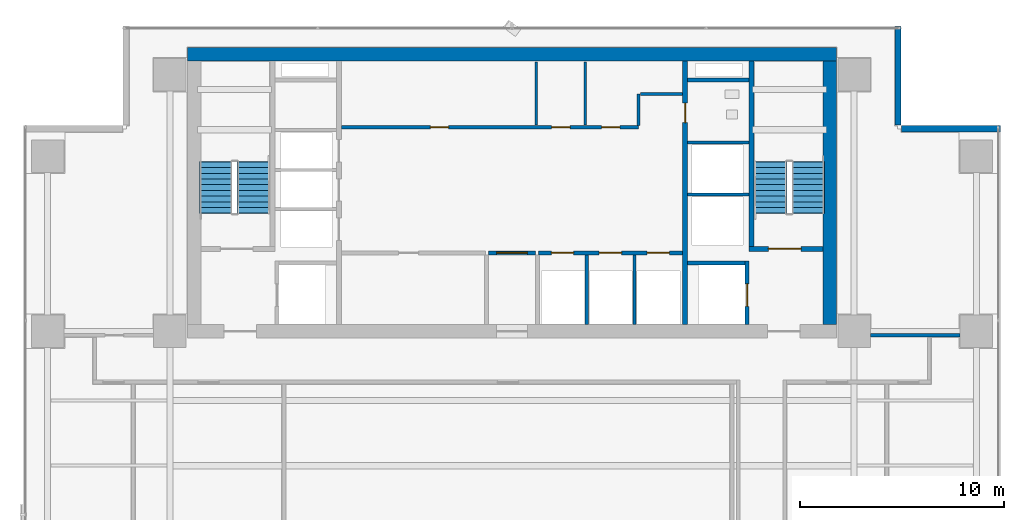
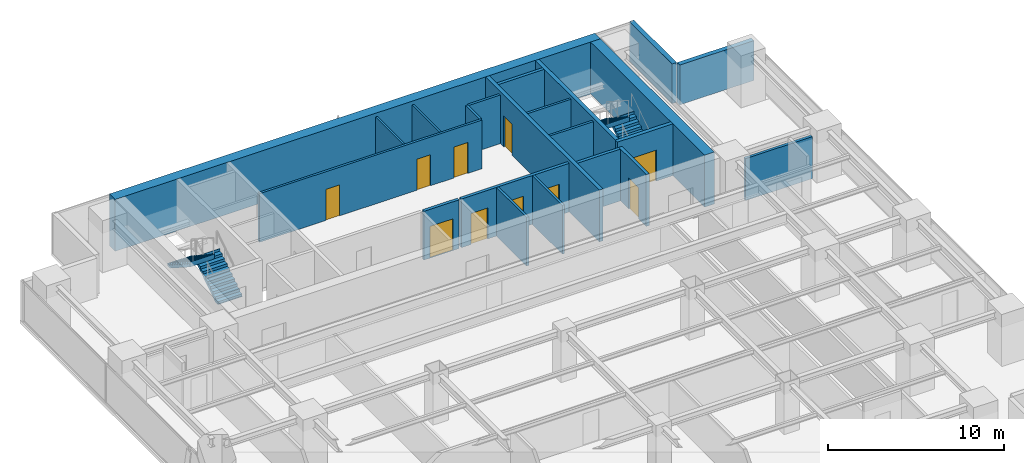
# One storey, part 22 of 28: 22 walls, 10 doors, 4 stair flights, 10 openings, 2 elements without a shape of their own.
"""IFC4 building model written with IfcOpenShell, lengths in metres."""

from ifc_helpers import new_model, si_unit, direction, frame, frame_2d, origin, place, context, subcontext, project, spatial, polyline, rectangle, outline, extrude, source, transform, mapped, material, layer, layer_set, type_object, element, fill, aggregate, save


model = new_model("IFC4")

# Units and contexts
model_context = context("Model", 3, precision=1e-05, world=origin(), true_north=direction((0.0, 1.0)))
body_context = subcontext(model_context, "Body", "Model", "MODEL_VIEW")
ifc_project = project(units=[si_unit("LENGTHUNIT", "METRE"), si_unit("AREAUNIT", "SQUARE_METRE"), si_unit("VOLUMEUNIT", "CUBIC_METRE"), si_unit("PLANEANGLEUNIT", "RADIAN"), si_unit("MASSUNIT", "GRAM", prefix="KILO")], contexts=[model_context])

# Site, building, storey
site_placement = place(None, origin())
site = spatial("IfcSite", under=ifc_project, at=site_placement, CompositionType="ELEMENT")
building_placement = place(site_placement, origin())
building = spatial("IfcBuilding", under=site, at=building_placement, Name="Sumidabori Civic Tower", CompositionType="ELEMENT")
storey_placement = place(building_placement, frame((0.0, 0.0, 171.199951171875)))
storey = spatial("IfcBuildingStorey", under=building, at=storey_placement, Name="L44", CompositionType="ELEMENT", Elevation=171.199951171875)

# Walls
ifc_material_1 = material(Name="Concrete C50/60", Category="concrete")
ifc_layer_1 = layer(ifc_material_1, 0.199951171875, Name="Concrete C50/60")
ifc_layer_set_1 = layer_set([ifc_layer_1], Name="Concrete C50/60")
wall_type_1 = type_object("IfcWallType", Name="WL-SHAFT-200", PredefinedType="SHEAR", material=ifc_layer_set_1)
shared_shape_1 = source(origin(), body_context, "Body", "SweptSolid", [
    extrude(rectangle(XDim=2.824951171875, YDim=0.199951171875, at=frame_2d((1.41259765625, 0.0))), origin(), (0.0, 0.0, 1.0), 3.60009765625),
])
wall_1_placement = place(storey_placement, frame((8.625, 13.550048828125, 0.0), z_axis=(0.0, 0.0, 1.0), x_axis=(1.0, 0.0, 0.0)))
element("IfcWall", 1, at=wall_1_placement, inside=storey, type_object=wall_type_1, Name="Core Shear Wall L44 EL2-N", PredefinedType="SHEAR", context=body_context, shape_type="MappedRepresentation", body=[
    mapped(shared_shape_1, transform((0.0, 0.0, 0.0), x_axis=(1.0, 0.0, 0.0), y_axis=(0.0, 1.0, 0.0), z_axis=(0.0, 0.0, 1.0), scale=1.0)),
])
shared_shape_2 = source(origin(), body_context, "Body", "SweptSolid", [
    extrude(rectangle(XDim=3.02001953125, YDim=0.199951171875, at=frame_2d((1.510009765625, 0.0))), origin(), (0.0, 0.0, 1.0), 3.60009765625),
])
wall_2_placement = place(storey_placement, frame((8.625, 22.550048828125, 0.0), z_axis=(0.0, 0.0, 1.0), x_axis=(1.0, 0.0, 0.0)))
element("IfcWall", 2, at=wall_2_placement, inside=storey, type_object=wall_type_1, Name="Core Shear Wall L44 RIS2-S", PredefinedType="SHEAR", context=body_context, shape_type="MappedRepresentation", body=[
    mapped(shared_shape_2, transform((0.0, 0.0, 0.0), x_axis=(1.0, 0.0, 0.0), y_axis=(0.0, 1.0, 0.0), z_axis=(0.0, 0.0, 1.0), scale=1.0)),
])
ifc_material_2 = material(Name="Concrete C60/75", Category="concrete")
ifc_layer_2 = layer(ifc_material_2, 0.64990234375, Name="Concrete C60/75")
ifc_layer_set_2 = layer_set([ifc_layer_2], Name="Concrete C60/75")
wall_type_2 = type_object("IfcWallType", Name="WL-CORE-650", PredefinedType="SHEAR", material=ifc_layer_set_2)
shared_shape_3 = source(origin(), body_context, "Body", "SweptSolid", [
    extrude(rectangle(XDim=31.85009765625, YDim=0.64990234375, at=frame_2d((15.925048828125, 0.0))), origin(), (0.0, 0.0, 1.0), 3.60009765625),
])
wall_3_placement = place(storey_placement, frame((-15.925048828125, 23.800048828125, 0.0), z_axis=(0.0, 0.0, 1.0), x_axis=(1.0, 0.0, 0.0)))
element("IfcWall", 3, at=wall_3_placement, inside=storey, type_object=wall_type_2, Name="Core Shear Wall L44 N", PredefinedType="SHEAR", context=body_context, shape_type="MappedRepresentation", body=[
    mapped(shared_shape_3, transform((0.0, 0.0, 0.0), x_axis=(1.0, 0.0, 0.0), y_axis=(0.0, 1.0, 0.0), z_axis=(0.0, 0.0, 1.0), scale=1.0)),
])
shared_shape_4 = source(origin(), body_context, "Body", "SweptSolid", [
    extrude(rectangle(XDim=12.9501953125, YDim=0.64990234375, at=frame_2d((6.47509765625, 0.0))), origin(), (0.0, 0.0, 1.0), 3.60009765625),
])
wall_4_placement = place(storey_placement, frame((15.60009765625, 10.52490234375, 0.0), z_axis=(0.0, 0.0, 1.0), x_axis=(0.0, 1.0, 0.0)))
element("IfcWall", 4, at=wall_4_placement, inside=storey, type_object=wall_type_2, Name="Core Shear Wall L44 E", PredefinedType="SHEAR", context=body_context, shape_type="MappedRepresentation", body=[
    mapped(shared_shape_4, transform((0.0, 0.0, 0.0), x_axis=(1.0, 0.0, 0.0), y_axis=(0.0, 1.0, 0.0), z_axis=(0.0, 0.0, 1.0), scale=1.0)),
])

# Wall, opening, door
ifc_layer_3 = layer(ifc_material_1, 0.25, Name="Concrete C50/60")
ifc_layer_set_3 = layer_set([ifc_layer_3], Name="Concrete C50/60")
wall_type_3 = type_object("IfcWallType", Name="WL-SHAFT-250", PredefinedType="SHEAR", material=ifc_layer_set_3)
shared_shape_5 = source(origin(), body_context, "Body", "SweptSolid", [
    extrude(rectangle(XDim=12.9501953125, YDim=0.25, at=frame_2d((6.47509765625, 0.0))), origin(), (0.0, 0.0, 1.0), 3.60009765625),
])
wall_5_placement = place(storey_placement, frame((8.5, 10.52490234375, 0.0), z_axis=(0.0, 0.0, 1.0), x_axis=(0.0, 1.0, 0.0)))
wall_5 = element("IfcWall", 5, at=wall_5_placement, inside=storey, type_object=wall_type_3, Name="Core Shear Wall L44 WEB-E", PredefinedType="SHEAR", context=body_context, shape_type="MappedRepresentation", body=[
    mapped(shared_shape_5, transform((0.0, 0.0, 0.0), x_axis=(1.0, 0.0, 0.0), y_axis=(0.0, 1.0, 0.0), z_axis=(0.0, 0.0, 1.0), scale=1.0)),
])
opening_1_placement = place(wall_5_placement, frame((9.925048828125, 0.0, 0.0)))
opening_1 = element("IfcOpeningElement", 6, at=opening_1_placement, cuts=wall_5, Name="Opening DR-2", PredefinedType="OPENING", context=body_context, shape_type="SweptSolid", body=[
    extrude(rectangle(XDim=0.949951171875, YDim=2.14990234375, at=frame_2d((0.47509765625, 1.074951171875))), frame((0.0, 0.136962890625, 0.0), z_axis=(0.0, -1.0, 0.0), x_axis=(1.0, 0.0, 0.0)), (0.0, 0.0, 1.0), 0.27392578125),
])
ifc_material_3 = material(Name="Japanese Hinoki Timber", Category="wood")
door_type_1 = type_object("IfcDoorType", Name="DR-INT-950", OperationType="NOTDEFINED", PredefinedType="DOOR", material=ifc_material_3)
shared_shape_6 = source(origin(), body_context, "Body", "SweptSolid", [
    extrude(rectangle(XDim=0.949951171875, YDim=2.14990234375, at=frame_2d((0.47509765625, 1.074951171875))), frame((0.0, 0.02490234375, 0.0), z_axis=(0.0, -1.0, 0.0), x_axis=(1.0, 0.0, 0.0)), (0.0, 0.0, 1.0), 0.050048828125),
])
door_1_placement = place(opening_1_placement, origin())
door_1 = element("IfcDoor", 7, at=door_1_placement, inside=storey, type_object=door_type_1, Name="Door DR:L44:WC-ACC", OperationType="SINGLE_SWING_RIGHT", OverallHeight=2.14990234375, OverallWidth=0.949951171875, PredefinedType="DOOR", context=body_context, shape_type="MappedRepresentation", body=[
    mapped(shared_shape_6, transform((0.0, 0.0, 0.0), x_axis=(1.0, 0.0, 0.0), y_axis=(0.0, 1.0, 0.0), z_axis=(0.0, 0.0, 1.0), scale=1.0)),
])
fill(opening_1, door_1)

shared_shape_7 = source(origin(), body_context, "Body", "SweptSolid", [
    extrude(rectangle(XDim=3.6298828125, YDim=0.25, at=frame_2d((1.81494140625, 0.0))), origin(), (0.0, 0.0, 1.0), 3.60009765625),
])
wall_6_placement = place(storey_placement, frame((11.64501953125, 14.25, 0.0), z_axis=(0.0, 0.0, 1.0), x_axis=(1.0, 0.0, 0.0)))
wall_6 = element("IfcWall", 8, at=wall_6_placement, inside=storey, type_object=wall_type_3, Name="Core Shear Wall L44 ST2-S", PredefinedType="SHEAR", context=body_context, shape_type="MappedRepresentation", body=[
    mapped(shared_shape_7, transform((0.0, 0.0, 0.0), x_axis=(1.0, 0.0, 0.0), y_axis=(0.0, 1.0, 0.0), z_axis=(0.0, 0.0, 1.0), scale=1.0)),
])
opening_2_placement = place(wall_6_placement, frame((0.949951171875, 0.0, 0.0)))
opening_2 = element("IfcOpeningElement", 9, at=opening_2_placement, cuts=wall_6, Name="Opening DR-FD4", PredefinedType="OPENING", context=body_context, shape_type="SweptSolid", body=[
    extrude(rectangle(XDim=1.60009765625, YDim=2.14990234375, at=frame_2d((0.800048828125, 1.074951171875))), frame((0.0, 0.136962890625, 0.0), z_axis=(0.0, -1.0, 0.0), x_axis=(1.0, 0.0, 0.0)), (0.0, 0.0, 1.0), 0.27392578125),
])
ifc_material_4 = material(Name="Steel SN490", Category="steel")
door_type_2 = type_object("IfcDoorType", Name="DR-FD4", OperationType="DOUBLE_DOOR_SINGLE_SWING", PredefinedType="DOOR", material=ifc_material_4)
shared_shape_8 = source(origin(), body_context, "Body", "SweptSolid", [
    extrude(rectangle(XDim=1.60009765625, YDim=2.14990234375, at=frame_2d((0.800048828125, 1.074951171875))), frame((0.0, 0.02490234375, 0.0), z_axis=(0.0, -1.0, 0.0), x_axis=(1.0, 0.0, 0.0)), (0.0, 0.0, 1.0), 0.050048828125),
])
door_2_placement = place(opening_2_placement, origin())
door_2 = element("IfcDoor", 10, at=door_2_placement, inside=storey, type_object=door_type_2, Name="Door DR:L44:ST2", OperationType="DOUBLE_DOOR_SINGLE_SWING", OverallHeight=2.14990234375, OverallWidth=1.60009765625, PredefinedType="DOOR", context=body_context, shape_type="MappedRepresentation", body=[
    mapped(shared_shape_8, transform((0.0, 0.0, 0.0), x_axis=(1.0, 0.0, 0.0), y_axis=(0.0, 1.0, 0.0), z_axis=(0.0, 0.0, 1.0), scale=1.0)),
])
fill(opening_2, door_2)

# Wall
shared_shape_9 = source(origin(), body_context, "Body", "SweptSolid", [
    extrude(rectangle(XDim=9.10009765625, YDim=0.25, at=frame_2d((4.550048828125, 0.0))), origin(), (0.0, 0.0, 1.0), 3.60009765625),
])
wall_7_placement = place(storey_placement, frame((11.77001953125, 14.375, 0.0), z_axis=(0.0, 0.0, 1.0), x_axis=(0.0, 1.0, 0.0)))
element("IfcWall", 11, at=wall_7_placement, inside=storey, type_object=wall_type_3, Name="Core Shear Wall L44 ST2-W", PredefinedType="SHEAR", context=body_context, shape_type="MappedRepresentation", body=[
    mapped(shared_shape_9, transform((0.0, 0.0, 0.0), x_axis=(1.0, 0.0, 0.0), y_axis=(0.0, 1.0, 0.0), z_axis=(0.0, 0.0, 1.0), scale=1.0)),
])

# Wall, opening, door
shared_shape_10 = source(origin(), body_context, "Body", "SweptSolid", [
    extrude(rectangle(XDim=3.125, YDim=0.199951171875, at=frame_2d((1.5625, 0.0))), origin(), (0.0, 0.0, 1.0), 3.60009765625),
])
wall_8_placement = place(storey_placement, frame((11.550048828125, 10.52490234375, 0.0), z_axis=(0.0, 0.0, 1.0), x_axis=(0.0, 1.0, 0.0)))
wall_8 = element("IfcWall", 12, at=wall_8_placement, inside=storey, type_object=wall_type_1, Name="Core Shear Wall L44 EL2-E", PredefinedType="SHEAR", context=body_context, shape_type="MappedRepresentation", body=[
    mapped(shared_shape_10, transform((0.0, 0.0, 0.0), x_axis=(1.0, 0.0, 0.0), y_axis=(0.0, 1.0, 0.0), z_axis=(0.0, 0.0, 1.0), scale=1.0)),
])
opening_3_placement = place(wall_8_placement, frame((0.89990234375, 0.0, 0.0)))
opening_3 = element("IfcOpeningElement", 13, at=opening_3_placement, cuts=wall_8, Name="Opening LD-2", PredefinedType="OPENING", context=body_context, shape_type="SweptSolid", body=[
    extrude(rectangle(XDim=1.10009765625, YDim=2.14990234375, at=frame_2d((0.550048828125, 1.074951171875))), frame((0.0, 0.11181640625, 0.0), z_axis=(0.0, -1.0, 0.0), x_axis=(1.0, 0.0, 0.0)), (0.0, 0.0, 1.0), 0.223876953125),
])
ifc_material_5 = material(Name="Stainless Steel Hairline Finish", Category="steel")
door_type_3 = type_object("IfcDoorType", Name="DR-LD2", OperationType="DOUBLE_DOOR_SLIDING", PredefinedType="DOOR", material=ifc_material_5)
shared_shape_11 = source(origin(), body_context, "Body", "SweptSolid", [
    extrude(rectangle(XDim=1.10009765625, YDim=2.14990234375, at=frame_2d((0.550048828125, 1.074951171875))), frame((0.0, 0.02490234375, 0.0), z_axis=(0.0, -1.0, 0.0), x_axis=(1.0, 0.0, 0.0)), (0.0, 0.0, 1.0), 0.050048828125),
])
door_3_placement = place(opening_3_placement, origin())
door_3 = element("IfcDoor", 14, at=door_3_placement, inside=storey, type_object=door_type_3, Name="Door DR:L44:LD-EL2", OperationType="DOUBLE_DOOR_SLIDING", OverallHeight=2.14990234375, OverallWidth=1.10009765625, PredefinedType="DOOR", context=body_context, shape_type="MappedRepresentation", body=[
    mapped(shared_shape_11, transform((0.0, 0.0, 0.0), x_axis=(1.0, 0.0, 0.0), y_axis=(0.0, 1.0, 0.0), z_axis=(0.0, 0.0, 1.0), scale=1.0)),
])
fill(opening_3, door_3)

# Walls
ifc_material_6 = material(Name="Precast concrete C40/50", Category="concrete")
ifc_layer_4 = layer(ifc_material_6, 0.300048828125, Name="Precast concrete C40/50")
ifc_layer_set_4 = layer_set([ifc_layer_4], Name="Precast concrete C40/50")
wall_type_4 = type_object("IfcWallType", Name="WL-EXT-POD300", PredefinedType="STANDARD", material=ifc_layer_set_4)
shared_shape_12 = source(origin(), body_context, "Body", "SweptSolid", [
    extrude(rectangle(XDim=4.85986328125, YDim=0.300048828125, at=frame_2d((2.429931640625, 0.0))), origin(), (0.0, 0.0, 1.0), 2.760009765625),
])
for number, where, z_axis, x_axis, name in (
    (15, (23.97998046875, 20.14990234375, 0.0), (0.0, 0.0, 1.0), (-1.0, 0.0, 0.0), "Notched Corner Spandrel Band L44-05"),
    (16, (18.949951171875, 20.320068359375, 0.0), (0.0, 0.0, 1.0), (0.0, 1.0, 0.0), "Notched Corner Spandrel Band L44-06"),
):
    element("IfcWall", number, at=place(storey_placement, frame(where, z_axis=z_axis, x_axis=x_axis)), inside=storey, type_object=wall_type_4, Name=name, PredefinedType="STANDARD", context=body_context, shape_type="MappedRepresentation", body=[
        mapped(shared_shape_12, transform((0.0, 0.0, 0.0), x_axis=(1.0, 0.0, 0.0), y_axis=(0.0, 1.0, 0.0), z_axis=(0.0, 0.0, 1.0), scale=1.0)),
    ])
ifc_material_7 = material(Name="Gypsum Plasterboard Acoustic Partition")
ifc_layer_5 = layer(ifc_material_7, 0.14990234375, Name="Gypsum Plasterboard Acoustic Partition")
ifc_layer_set_5 = layer_set([ifc_layer_5], Name="Gypsum Plasterboard Acoustic Partition")
wall_type_5 = type_object("IfcWallType", Name="WL-PART-150", PredefinedType="PARTITIONING", material=ifc_layer_set_5)
shared_shape_13 = source(origin(), body_context, "Body", "SweptSolid", [
    extrude(rectangle(XDim=3.010009765625, YDim=0.14990234375, at=frame_2d((1.5048828125, 0.0))), origin(), (0.0, 0.0, 1.0), 3.380126953125),
])
for number, where, z_axis, x_axis, name in (
    (17, (8.6298828125, 16.919921875, 0.0), (0.0, 0.0, 1.0), (1.0, 0.0, 0.0), "Interior Partition WL:L44:DIV-OBS1"),
    (18, (8.6298828125, 19.469970703125, 0.0), (0.0, 0.0, 1.0), (1.0, 0.0, 0.0), "Interior Partition WL:L44:DIV-OBS2"),
):
    element("IfcWall", number, at=place(storey_placement, frame(where, z_axis=z_axis, x_axis=x_axis)), inside=storey, type_object=wall_type_5, Name=name, PredefinedType="PARTITIONING", context=body_context, shape_type="MappedRepresentation", body=[
        mapped(shared_shape_13, transform((0.0, 0.0, 0.0), x_axis=(1.0, 0.0, 0.0), y_axis=(0.0, 1.0, 0.0), z_axis=(0.0, 0.0, 1.0), scale=1.0)),
    ])

# Wall, openings, doors
ifc_material_8 = material(Name="Gypsum Plasterboard Fire Partition")
ifc_layer_6 = layer(ifc_material_8, 0.199951171875, Name="Gypsum Plasterboard Fire Partition")
ifc_layer_set_6 = layer_set([ifc_layer_6], Name="Gypsum Plasterboard Fire Partition")
wall_type_6 = type_object("IfcWallType", Name="WL-PART-FIRE", PredefinedType="PARTITIONING", material=ifc_layer_set_6)
shared_shape_14 = source(origin(), body_context, "Body", "SweptSolid", [
    extrude(rectangle(XDim=7.070068359375, YDim=0.199951171875, at=frame_2d((3.53515625, 0.0))), origin(), (0.0, 0.0, 1.0), 3.380126953125),
])
wall_9_placement = place(storey_placement, frame((1.300048828125, 14.050048828125, 0.0), z_axis=(0.0, 0.0, 1.0), x_axis=(1.0, 0.0, 0.0)))
wall_9 = element("IfcWall", 19, at=wall_9_placement, inside=storey, type_object=wall_type_6, Name="Interior Partition WL:L44:CBAND-SE", PredefinedType="PARTITIONING", context=body_context, shape_type="MappedRepresentation", body=[
    mapped(shared_shape_14, transform((0.0, 0.0, 0.0), x_axis=(1.0, 0.0, 0.0), y_axis=(0.0, 1.0, 0.0), z_axis=(0.0, 0.0, 1.0), scale=1.0)),
])
opening_4_placement = place(wall_9_placement, frame((0.6298828125, 0.0, 0.0)))
opening_4 = element("IfcOpeningElement", 20, at=opening_4_placement, cuts=wall_9, Name="Opening LD-1", PredefinedType="OPENING", context=body_context, shape_type="SweptSolid", body=[
    extrude(rectangle(XDim=1.10009765625, YDim=2.14990234375, at=frame_2d((0.550048828125, 1.074951171875))), frame((0.0, 0.11181640625, 0.0), z_axis=(0.0, -1.0, 0.0), x_axis=(1.0, 0.0, 0.0)), (0.0, 0.0, 1.0), 0.223876953125),
])
opening_5_placement = place(wall_9_placement, frame((2.97998046875, 0.0, 0.0)))
opening_5 = element("IfcOpeningElement", 21, at=opening_5_placement, cuts=wall_9, Name="Opening LD-1", PredefinedType="OPENING", context=body_context, shape_type="SweptSolid", body=[
    extrude(rectangle(XDim=1.10009765625, YDim=2.14990234375, at=frame_2d((0.550048828125, 1.074951171875))), frame((0.0, 0.11181640625, 0.0), z_axis=(0.0, -1.0, 0.0), x_axis=(1.0, 0.0, 0.0)), (0.0, 0.0, 1.0), 0.223876953125),
])
opening_6_placement = place(wall_9_placement, frame((5.330078125, 0.0, 0.0)))
opening_6 = element("IfcOpeningElement", 22, at=opening_6_placement, cuts=wall_9, Name="Opening LD-1", PredefinedType="OPENING", context=body_context, shape_type="SweptSolid", body=[
    extrude(rectangle(XDim=1.10009765625, YDim=2.14990234375, at=frame_2d((0.550048828125, 1.074951171875))), frame((0.0, 0.11181640625, 0.0), z_axis=(0.0, -1.0, 0.0), x_axis=(1.0, 0.0, 0.0)), (0.0, 0.0, 1.0), 0.223876953125),
])
door_type_4 = type_object("IfcDoorType", Name="DR-LD1", OperationType="DOUBLE_DOOR_SLIDING", PredefinedType="DOOR", material=ifc_material_5)
door_4_placement = place(opening_4_placement, origin())
door_4 = element("IfcDoor", 23, at=door_4_placement, inside=storey, type_object=door_type_4, Name="Door DR:L44:LD-PLM1", OperationType="DOUBLE_DOOR_SLIDING", OverallHeight=2.14990234375, OverallWidth=1.10009765625, PredefinedType="DOOR", context=body_context, shape_type="MappedRepresentation", body=[
    mapped(shared_shape_11, transform((0.0, 0.0, 0.0), x_axis=(1.0, 0.0, 0.0), y_axis=(0.0, 1.0, 0.0), z_axis=(0.0, 0.0, 1.0), scale=1.0)),
])
fill(opening_4, door_4)
door_5_placement = place(opening_5_placement, origin())
door_5 = element("IfcDoor", 24, at=door_5_placement, inside=storey, type_object=door_type_4, Name="Door DR:L44:LD-PLM2", OperationType="DOUBLE_DOOR_SLIDING", OverallHeight=2.14990234375, OverallWidth=1.10009765625, PredefinedType="DOOR", context=body_context, shape_type="MappedRepresentation", body=[
    mapped(shared_shape_11, transform((0.0, 0.0, 0.0), x_axis=(1.0, 0.0, 0.0), y_axis=(0.0, 1.0, 0.0), z_axis=(0.0, 0.0, 1.0), scale=1.0)),
])
fill(opening_5, door_5)
door_6_placement = place(opening_6_placement, origin())
door_6 = element("IfcDoor", 25, at=door_6_placement, inside=storey, type_object=door_type_4, Name="Door DR:L44:LD-PLM3", OperationType="DOUBLE_DOOR_SLIDING", OverallHeight=2.14990234375, OverallWidth=1.10009765625, PredefinedType="DOOR", context=body_context, shape_type="MappedRepresentation", body=[
    mapped(shared_shape_11, transform((0.0, 0.0, 0.0), x_axis=(1.0, 0.0, 0.0), y_axis=(0.0, 1.0, 0.0), z_axis=(0.0, 0.0, 1.0), scale=1.0)),
])
fill(opening_6, door_6)

# Wall, opening, door
shared_shape_15 = source(origin(), body_context, "Body", "SweptSolid", [
    extrude(rectangle(XDim=2.2998046875, YDim=0.199951171875, at=frame_2d((1.14990234375, 0.0))), origin(), (0.0, 0.0, 1.0), 3.380126953125),
])
wall_10_placement = place(storey_placement, frame((-1.14990234375, 14.050048828125, 0.0), z_axis=(0.0, 0.0, 1.0), x_axis=(1.0, 0.0, 0.0)))
wall_10 = element("IfcWall", 26, at=wall_10_placement, inside=storey, type_object=wall_type_6, Name="Interior Partition WL:L44:THROAT-N", PredefinedType="PARTITIONING", context=body_context, shape_type="MappedRepresentation", body=[
    mapped(shared_shape_15, transform((0.0, 0.0, 0.0), x_axis=(1.0, 0.0, 0.0), y_axis=(0.0, 1.0, 0.0), z_axis=(0.0, 0.0, 1.0), scale=1.0)),
])
opening_7_placement = place(wall_10_placement, frame((0.39990234375, 0.0, 0.0)))
opening_7 = element("IfcOpeningElement", 27, at=opening_7_placement, cuts=wall_10, Name="Opening DR-FD3", PredefinedType="OPENING", context=body_context, shape_type="SweptSolid", body=[
    extrude(rectangle(XDim=1.5, YDim=2.199951171875, at=frame_2d((0.75, 1.10009765625))), frame((0.0, 0.11181640625, 0.0), z_axis=(0.0, -1.0, 0.0), x_axis=(1.0, 0.0, 0.0)), (0.0, 0.0, 1.0), 0.223876953125),
])
door_type_5 = type_object("IfcDoorType", Name="DR-FD-DBL", OperationType="DOUBLE_DOOR_SINGLE_SWING", PredefinedType="DOOR", material=ifc_material_4)
shared_shape_16 = source(origin(), body_context, "Body", "SweptSolid", [
    extrude(rectangle(XDim=1.5, YDim=2.199951171875, at=frame_2d((0.75, 1.10009765625))), frame((0.0, 0.02490234375, 0.0), z_axis=(0.0, -1.0, 0.0), x_axis=(1.0, 0.0, 0.0)), (0.0, 0.0, 1.0), 0.050048828125),
])
door_7_placement = place(opening_7_placement, origin())
door_7 = element("IfcDoor", 28, at=door_7_placement, inside=storey, type_object=door_type_5, Name="Door DR:L44:THROAT-IN", OperationType="DOUBLE_DOOR_SINGLE_SWING", OverallHeight=2.199951171875, OverallWidth=1.5, PredefinedType="DOOR", context=body_context, shape_type="MappedRepresentation", body=[
    mapped(shared_shape_16, transform((0.0, 0.0, 0.0), x_axis=(1.0, 0.0, 0.0), y_axis=(0.0, 1.0, 0.0), z_axis=(0.0, 0.0, 1.0), scale=1.0)),
])
fill(opening_7, door_7)

# Wall, openings, doors
shared_shape_17 = source(origin(), body_context, "Body", "SweptSolid", [
    extrude(rectangle(XDim=14.590087890625, YDim=0.14990234375, at=frame_2d((7.294921875, 0.0))), origin(), (0.0, 0.0, 1.0), 3.380126953125),
])
wall_11_placement = place(storey_placement, frame((-8.3701171875, 20.219970703125, 0.0), z_axis=(0.0, 0.0, 1.0), x_axis=(1.0, 0.0, 0.0)))
wall_11 = element("IfcWall", 29, at=wall_11_placement, inside=storey, type_object=wall_type_5, Name="Interior Partition WL:L44:CBAND-M", PredefinedType="PARTITIONING", context=body_context, shape_type="MappedRepresentation", body=[
    mapped(shared_shape_17, transform((0.0, 0.0, 0.0), x_axis=(1.0, 0.0, 0.0), y_axis=(0.0, 1.0, 0.0), z_axis=(0.0, 0.0, 1.0), scale=1.0)),
])
opening_8_placement = place(wall_11_placement, frame((4.360107421875, 0.0, 0.0)))
opening_8 = element("IfcOpeningElement", 30, at=opening_8_placement, cuts=wall_11, Name="Opening DR-1", PredefinedType="OPENING", context=body_context, shape_type="SweptSolid", body=[
    extrude(rectangle(XDim=0.89990234375, YDim=2.14990234375, at=frame_2d((0.449951171875, 1.074951171875))), frame((0.0, 0.0869140625, 0.0), z_axis=(0.0, -1.0, 0.0), x_axis=(1.0, 0.0, 0.0)), (0.0, 0.0, 1.0), 0.173828125),
])
opening_9_placement = place(wall_11_placement, frame((10.320068359375, 0.0, 0.0)))
opening_9 = element("IfcOpeningElement", 31, at=opening_9_placement, cuts=wall_11, Name="Opening DR-1", PredefinedType="OPENING", context=body_context, shape_type="SweptSolid", body=[
    extrude(rectangle(XDim=0.89990234375, YDim=2.14990234375, at=frame_2d((0.449951171875, 1.074951171875))), frame((0.0, 0.0869140625, 0.0), z_axis=(0.0, -1.0, 0.0), x_axis=(1.0, 0.0, 0.0)), (0.0, 0.0, 1.0), 0.173828125),
])
opening_10_placement = place(wall_11_placement, frame((12.77001953125, 0.0, 0.0)))
opening_10 = element("IfcOpeningElement", 32, at=opening_10_placement, cuts=wall_11, Name="Opening DR-1", PredefinedType="OPENING", context=body_context, shape_type="SweptSolid", body=[
    extrude(rectangle(XDim=0.89990234375, YDim=2.14990234375, at=frame_2d((0.449951171875, 1.074951171875))), frame((0.0, 0.0869140625, 0.0), z_axis=(0.0, -1.0, 0.0), x_axis=(1.0, 0.0, 0.0)), (0.0, 0.0, 1.0), 0.173828125),
])
door_type_6 = type_object("IfcDoorType", Name="DR-INT-900", OperationType="NOTDEFINED", PredefinedType="DOOR", material=ifc_material_3)
shared_shape_18 = source(origin(), body_context, "Body", "SweptSolid", [
    extrude(rectangle(XDim=0.89990234375, YDim=2.14990234375, at=frame_2d((0.449951171875, 1.074951171875))), frame((0.0, 0.02490234375, 0.0), z_axis=(0.0, -1.0, 0.0), x_axis=(1.0, 0.0, 0.0)), (0.0, 0.0, 1.0), 0.050048828125),
])
door_8_placement = place(opening_8_placement, origin())
door_8 = element("IfcDoor", 33, at=door_8_placement, inside=storey, type_object=door_type_6, Name="Door DR:L44:CB-1", OperationType="SINGLE_SWING_LEFT", OverallHeight=2.14990234375, OverallWidth=0.89990234375, PredefinedType="DOOR", context=body_context, shape_type="MappedRepresentation", body=[
    mapped(shared_shape_18, transform((0.0, 0.0, 0.0), x_axis=(1.0, 0.0, 0.0), y_axis=(0.0, 1.0, 0.0), z_axis=(0.0, 0.0, 1.0), scale=1.0)),
])
fill(opening_8, door_8)
door_9_placement = place(opening_9_placement, origin())
door_9 = element("IfcDoor", 34, at=door_9_placement, inside=storey, type_object=door_type_6, Name="Door DR:L44:CB-2", OperationType="SINGLE_SWING_RIGHT", OverallHeight=2.14990234375, OverallWidth=0.89990234375, PredefinedType="DOOR", context=body_context, shape_type="MappedRepresentation", body=[
    mapped(shared_shape_18, transform((0.0, 0.0, 0.0), x_axis=(1.0, 0.0, 0.0), y_axis=(0.0, 1.0, 0.0), z_axis=(0.0, 0.0, 1.0), scale=1.0)),
])
fill(opening_9, door_9)
door_10_placement = place(opening_10_placement, origin())
door_10 = element("IfcDoor", 35, at=door_10_placement, inside=storey, type_object=door_type_6, Name="Door DR:L44:CB-3", OperationType="SINGLE_SWING_LEFT", OverallHeight=2.14990234375, OverallWidth=0.89990234375, PredefinedType="DOOR", context=body_context, shape_type="MappedRepresentation", body=[
    mapped(shared_shape_18, transform((0.0, 0.0, 0.0), x_axis=(1.0, 0.0, 0.0), y_axis=(0.0, 1.0, 0.0), z_axis=(0.0, 0.0, 1.0), scale=1.0)),
])
fill(opening_10, door_10)

# Walls
shared_shape_19 = source(origin(), body_context, "Body", "SweptSolid", [
    extrude(rectangle(XDim=1.550048828125, YDim=0.14990234375, at=frame_2d((0.77490234375, 0.0))), origin(), (0.0, 0.0, 1.0), 3.380126953125),
])
wall_12_placement = place(storey_placement, frame((6.219970703125, 20.300048828125, 0.0), z_axis=(0.0, 0.0, 1.0), x_axis=(0.0, 1.0, 0.0)))
element("IfcWall", 36, at=wall_12_placement, inside=storey, type_object=wall_type_5, Name="Interior Partition WL:L44:CBAND-ME1", PredefinedType="PARTITIONING", context=body_context, shape_type="MappedRepresentation", body=[
    mapped(shared_shape_19, transform((0.0, 0.0, 0.0), x_axis=(1.0, 0.0, 0.0), y_axis=(0.0, 1.0, 0.0), z_axis=(0.0, 0.0, 1.0), scale=1.0)),
])
shared_shape_20 = source(origin(), body_context, "Body", "SweptSolid", [
    extrude(rectangle(XDim=2.070068359375, YDim=0.14990234375, at=frame_2d((1.03515625, 0.0))), origin(), (0.0, 0.0, 1.0), 3.380126953125),
])
wall_13_placement = place(storey_placement, frame((6.300048828125, 21.85009765625, 0.0), z_axis=(0.0, 0.0, 1.0), x_axis=(1.0, 0.0, 0.0)))
element("IfcWall", 37, at=wall_13_placement, inside=storey, type_object=wall_type_5, Name="Interior Partition WL:L44:CBAND-ME2", PredefinedType="PARTITIONING", context=body_context, shape_type="MappedRepresentation", body=[
    mapped(shared_shape_20, transform((0.0, 0.0, 0.0), x_axis=(1.0, 0.0, 0.0), y_axis=(0.0, 1.0, 0.0), z_axis=(0.0, 0.0, 1.0), scale=1.0)),
])
shared_shape_21 = source(origin(), body_context, "Body", "SweptSolid", [
    extrude(rectangle(XDim=3.4150390625, YDim=0.14990234375, at=frame_2d((1.70751953125, 0.0))), origin(), (0.0, 0.0, 1.0), 3.380126953125),
])
for number, where, z_axis, x_axis, name in (
    (38, (3.669921875, 10.52490234375, 0.0), (0.0, 0.0, 1.0), (0.0, 1.0, 0.0), "Interior Partition WL:L44:DIV-PLM1"),
    (39, (6.02001953125, 10.52490234375, 0.0), (0.0, 0.0, 1.0), (0.0, 1.0, 0.0), "Interior Partition WL:L44:DIV-PLM2"),
):
    element("IfcWall", number, at=place(storey_placement, frame(where, z_axis=z_axis, x_axis=x_axis)), inside=storey, type_object=wall_type_5, Name=name, PredefinedType="PARTITIONING", context=body_context, shape_type="MappedRepresentation", body=[
        mapped(shared_shape_21, transform((0.0, 0.0, 0.0), x_axis=(1.0, 0.0, 0.0), y_axis=(0.0, 1.0, 0.0), z_axis=(0.0, 0.0, 1.0), scale=1.0)),
    ])
ifc_layer_7 = layer(ifc_material_7, 0.1201171875, Name="Gypsum Plasterboard Acoustic Partition")
ifc_layer_set_7 = layer_set([ifc_layer_7], Name="Gypsum Plasterboard Acoustic Partition")
wall_type_7 = type_object("IfcWallType", Name="WL-PART-120", PredefinedType="PARTITIONING", material=ifc_layer_set_7)
shared_shape_22 = source(origin(), body_context, "Body", "SweptSolid", [
    extrude(rectangle(XDim=3.114990234375, YDim=0.1201171875, at=frame_2d((1.5576171875, 0.0))), origin(), (0.0, 0.0, 1.0), 3.380126953125),
])
for number, where, z_axis, x_axis, name in (
    (40, (1.199951171875, 20.320068359375, 0.0), (0.0, 0.0, 1.0), (0.0, 1.0, 0.0), "Interior Partition WL:L44:LV8-S1"),
    (41, (3.60009765625, 20.320068359375, 0.0), (0.0, 0.0, 1.0), (0.0, 1.0, 0.0), "Interior Partition WL:L44:LV8-S2"),
):
    element("IfcWall", number, at=place(storey_placement, frame(where, z_axis=z_axis, x_axis=x_axis)), inside=storey, type_object=wall_type_7, Name=name, PredefinedType="PARTITIONING", context=body_context, shape_type="MappedRepresentation", body=[
        mapped(shared_shape_22, transform((0.0, 0.0, 0.0), x_axis=(1.0, 0.0, 0.0), y_axis=(0.0, 1.0, 0.0), z_axis=(0.0, 0.0, 1.0), scale=1.0)),
    ])
ifc_layer_8 = layer(ifc_material_7, 0.179931640625, Name="Gypsum Plasterboard Acoustic Partition")
ifc_layer_set_8 = layer_set([ifc_layer_8], Name="Gypsum Plasterboard Acoustic Partition")
wall_type_8 = type_object("IfcWallType", Name="WL-PART-180", PredefinedType="PARTITIONING", material=ifc_layer_set_8)
shared_shape_23 = source(origin(), body_context, "Body", "SweptSolid", [
    extrude(rectangle(XDim=4.3798828125, YDim=0.179931640625, at=frame_2d((2.18994140625, 0.0))), origin(), (0.0, 0.0, 1.0), 2.9150390625),
])
wall_14_placement = place(storey_placement, frame((17.610107421875, 10.0, 0.0), z_axis=(0.0, 0.0, 1.0), x_axis=(1.0, 0.0, 0.0)))
element("IfcWall", 42, at=wall_14_placement, inside=storey, type_object=wall_type_8, Name="Interior Partition WL:L44:FLK-NE", PredefinedType="PARTITIONING", context=body_context, shape_type="MappedRepresentation", body=[
    mapped(shared_shape_23, transform((0.0, 0.0, 0.0), x_axis=(1.0, 0.0, 0.0), y_axis=(0.0, 1.0, 0.0), z_axis=(0.0, 0.0, 1.0), scale=1.0)),
])

# Stair, stair flights
ifc_material_9 = material(Name="Concrete C40/50", Category="concrete")
stair_type = type_object("IfcStairType", Name="ST-CORE-1600", PredefinedType="HALF_TURN_STAIR", material=ifc_material_9)
stair_1_placement = place(storey_placement, origin())
stair_1 = element("IfcStair", 43, at=stair_1_placement, inside=storey, type_object=stair_type, Name="L44 ST-1", PredefinedType="HALF_TURN_STAIR")
stair_flight_type = type_object("IfcStairFlightType", Name="SF-CORE-1600", PredefinedType="STRAIGHT", material=ifc_material_9)
shared_shape_24 = source(origin(), body_context, "Body", "SweptSolid", [
    extrude(outline(polyline([(-0.02490234375, 0.0), (-0.02490234375, 0.0400390625), (0.0, 0.0400390625), (0.0, 0.179931640625), (0.280029296875, 0.179931640625), (0.280029296875, 0.360107421875), (0.56005859375, 0.360107421875), (0.56005859375, 0.5400390625), (0.840087890625, 0.5400390625), (0.840087890625, 0.719970703125), (1.1201171875, 0.719970703125), (1.1201171875, 0.89990234375), (1.39990234375, 0.89990234375), (1.39990234375, 1.080078125), (1.679931640625, 1.080078125), (1.679931640625, 1.260009765625), (1.9599609375, 1.260009765625), (1.9599609375, 1.43994140625), (2.239990234375, 1.43994140625), (2.239990234375, 1.6201171875), (2.52001953125, 1.6201171875), (2.52001953125, 1.800048828125), (2.544921875, 1.800048828125), (2.544921875, 1.650146484375), (2.52001953125, 1.44189453125), (0.277099609375, 0.0), (-0.02490234375, 0.0)])), frame((0.0, 0.800048828125, 0.0), z_axis=(0.0, -1.0, 0.0), x_axis=(1.0, 0.0, 0.0)), (0.0, 0.0, 1.0), 1.60009765625),
])
stair_flight_1_placement = place(storey_placement, frame((-12.699951171875, 16.0, 0.0), z_axis=(0.0, 0.0, 1.0), x_axis=(0.0, 1.0, 0.0)))
stair_flight_1 = element("IfcStairFlight", 44, at=stair_flight_1_placement, type_object=stair_flight_type, Name="ST-1 flight 1", NumberOfRisers=10, NumberOfTreads=9, PredefinedType="STRAIGHT", RiserHeight=0.18, TreadLength=0.28, context=body_context, shape_type="MappedRepresentation", body=[
    mapped(shared_shape_24, transform((0.0, 0.0, 0.0), x_axis=(1.0, 0.0, 0.0), y_axis=(0.0, 1.0, 0.0), z_axis=(0.0, 0.0, 1.0), scale=1.0)),
])
stair_flight_2_placement = place(storey_placement, frame((-14.5400390625, 18.52001953125, 1.800048828125), z_axis=(0.0, 0.0, 1.0), x_axis=(0.0, -1.0, 0.0)))
stair_flight_2 = element("IfcStairFlight", 45, at=stair_flight_2_placement, type_object=stair_flight_type, Name="ST-1 flight 2", NumberOfRisers=10, NumberOfTreads=9, PredefinedType="STRAIGHT", RiserHeight=0.18, TreadLength=0.28, context=body_context, shape_type="MappedRepresentation", body=[
    mapped(shared_shape_24, transform((0.0, 0.0, 0.0), x_axis=(1.0, 0.0, 0.0), y_axis=(0.0, 1.0, 0.0), z_axis=(0.0, 0.0, 1.0), scale=1.0)),
])
aggregate(stair_1, [stair_flight_1, stair_flight_2])

stair_2_placement = place(storey_placement, origin())
stair_2 = element("IfcStair", 46, at=stair_2_placement, inside=storey, type_object=stair_type, Name="L44 ST-2", PredefinedType="HALF_TURN_STAIR")
stair_flight_3_placement = place(storey_placement, frame((14.5400390625, 16.0, 0.0), z_axis=(0.0, 0.0, 1.0), x_axis=(0.0, 1.0, 0.0)))
stair_flight_3 = element("IfcStairFlight", 47, at=stair_flight_3_placement, type_object=stair_flight_type, Name="ST-2 flight 1", NumberOfRisers=10, NumberOfTreads=9, PredefinedType="STRAIGHT", RiserHeight=0.18, TreadLength=0.28, context=body_context, shape_type="MappedRepresentation", body=[
    mapped(shared_shape_24, transform((0.0, 0.0, 0.0), x_axis=(1.0, 0.0, 0.0), y_axis=(0.0, 1.0, 0.0), z_axis=(0.0, 0.0, 1.0), scale=1.0)),
])
stair_flight_4_placement = place(storey_placement, frame((12.699951171875, 18.52001953125, 1.800048828125), z_axis=(0.0, 0.0, 1.0), x_axis=(0.0, -1.0, 0.0)))
stair_flight_4 = element("IfcStairFlight", 48, at=stair_flight_4_placement, type_object=stair_flight_type, Name="ST-2 flight 2", NumberOfRisers=10, NumberOfTreads=9, PredefinedType="STRAIGHT", RiserHeight=0.18, TreadLength=0.28, context=body_context, shape_type="MappedRepresentation", body=[
    mapped(shared_shape_24, transform((0.0, 0.0, 0.0), x_axis=(1.0, 0.0, 0.0), y_axis=(0.0, 1.0, 0.0), z_axis=(0.0, 0.0, 1.0), scale=1.0)),
])
aggregate(stair_2, [stair_flight_3, stair_flight_4])

save(model, "model.ifc")
